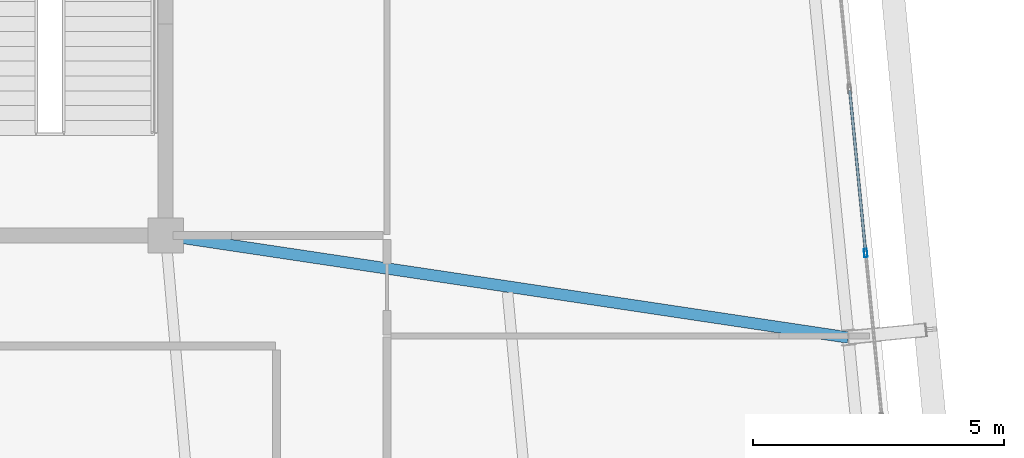
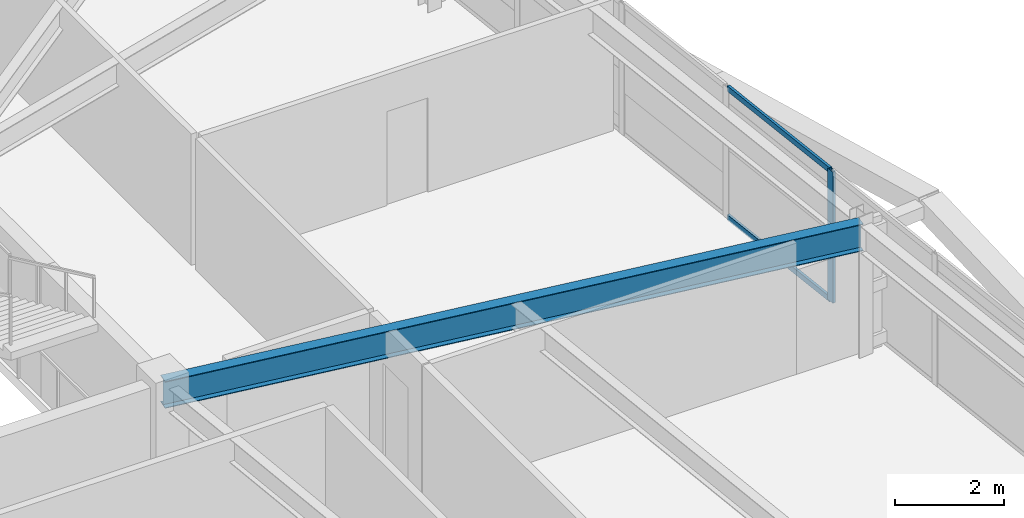
# One storey, part 25 of 53: 3 members, 1 beam, 1 element without a shape of its own.
"""IFC4 building model written with IfcOpenShell, lengths in metres."""

from ifc_helpers import new_model, si_unit, direction, frame, origin, origin_2d, place, context, subcontext, project, spatial, hollow_rectangle, i_section, extrude, source, transform, mapped, material, layer, layer_set, material_profile, profile_set, type_object, element, aggregate, save


model = new_model("IFC4")

# Units and contexts
model_context = context("Model", 3, precision=1e-05, world=origin(), true_north=direction((0.0, 1.0)))
body_context = subcontext(model_context, "Body", "Model", "MODEL_VIEW")
ifc_project = project(units=[si_unit("LENGTHUNIT", "METRE"), si_unit("AREAUNIT", "SQUARE_METRE"), si_unit("VOLUMEUNIT", "CUBIC_METRE"), si_unit("PLANEANGLEUNIT", "RADIAN"), si_unit("MASSUNIT", "GRAM", prefix="KILO")], contexts=[model_context])

# Site, building, storey
site_placement = place(None, origin())
site = spatial("IfcSite", under=ifc_project, at=site_placement, CompositionType="ELEMENT")
building_placement = place(site_placement, origin())
building = spatial("IfcBuilding", under=site, at=building_placement, Name="Taldren Reach Tower", CompositionType="ELEMENT")
storey_placement = place(building_placement, frame((0.0, 0.0, 80.85009765625)))
storey = spatial("IfcBuildingStorey", under=building, at=storey_placement, Name="L24", CompositionType="ELEMENT", Elevation=80.85009765625)

# Beam
ifc_material_1 = material(Name="Steel Gr 350 (350PLUS)", Category="steel")
ifc_material_profile_1 = material_profile(ifc_material_1, i_section(OverallWidth=0.22802734375, OverallDepth=0.60205078125, WebThickness=0.010498046875, FlangeThickness=0.014892578125, at=origin_2d()), Name="610UB101")
ifc_profile_set_1 = profile_set([ifc_material_profile_1], Name="Steel Gr 350 (350PLUS)")
beam_type = type_object("IfcBeamType", Name="BM-UB610B", PredefinedType="BEAM", material=ifc_profile_set_1)
shared_shape_1 = source(origin(), body_context, "Body", "SweptSolid", [
    extrude(i_section(OverallWidth=0.22802734375, OverallDepth=0.60205078125, WebThickness=0.010498046875, FlangeThickness=0.014892578125, at=origin_2d()), origin(), (0.0, 0.0, 1.0), 13.720703125),
])
beam_placement = place(storey_placement, frame((51.0, 24.0, 2.62890625), z_axis=(0.988983679407, -0.148024598856, 0.0), x_axis=(0.148024598856, 0.988983679407, 0.0)))
element("IfcBeam", 1, at=beam_placement, inside=storey, type_object=beam_type, Name="Primary floor girder B2-E2 L24", PredefinedType="BEAM", context=body_context, shape_type="MappedRepresentation", body=[
    mapped(shared_shape_1, transform((0.0, 0.0, 0.0), scale=1.0)),
])

# Curtain wall, members
ifc_material_2 = material(Name="Aluminium and Low-E Glass Unitised System", Category="aluminium")
ifc_layer = layer(ifc_material_2, 0.159912109375)
ifc_layer_set = layer_set([ifc_layer], Name="Aluminium and Low-E Glass Unitised System")
curtain_wall_type = type_object("IfcCurtainWallType", Name="CW-SYS-3", PredefinedType="NOTDEFINED", material=ifc_layer_set)
curtain_wall_placement = place(storey_placement, origin())
curtain_wall = element("IfcCurtainWall", 2, at=curtain_wall_placement, inside=storey, type_object=curtain_wall_type, Name="Unitised curtain wall CW-L24-E", PredefinedType="NOTDEFINED")
ifc_material_3 = material(Name="Anodised Aluminium 6063-T6", Category="aluminium")
ifc_material_profile_2 = material_profile(ifc_material_3, hollow_rectangle(XDim=0.06494140625, YDim=0.1650390625, WallThickness=0.00390625, at=origin_2d()), Name="ALU-165x65x4RHS")
ifc_profile_set_2 = profile_set([ifc_material_profile_2], Name="Anodised Aluminium 6063-T6")
member_type_1 = type_object("IfcMemberType", Name="CW-MUL-165", PredefinedType="MULLION", material=ifc_profile_set_2)
shared_shape_2 = source(origin(), body_context, "Body", "SweptSolid", [
    extrude(hollow_rectangle(XDim=0.06494140625, YDim=0.1650390625, WallThickness=0.00390625, at=origin_2d()), origin(), (0.0, 0.0, 1.0), 2.929931640625),
])
member_1_placement = place(storey_placement, frame((64.9169921875, 23.649658203125, 0.0), z_axis=(0.0, 0.0, 1.0), x_axis=(-0.99522741555, -0.09758274098, 0.0)))
member_1 = element("IfcMember", 3, at=member_1_placement, type_object=member_type_1, Name="CW-3 mullion 6", PredefinedType="MULLION", context=body_context, shape_type="MappedRepresentation", body=[
    mapped(shared_shape_2, transform((0.0, 0.0, 0.0), scale=1.0)),
])
ifc_material_profile_3 = material_profile(ifc_material_3, hollow_rectangle(XDim=0.054931640625, YDim=0.1201171875, WallThickness=0.0029296875, at=origin_2d()), Name="ALU-120x55x3RHS")
ifc_profile_set_3 = profile_set([ifc_material_profile_3], Name="Anodised Aluminium 6063-T6")
member_type_2 = type_object("IfcMemberType", Name="CW-TRN-135", PredefinedType="USERDEFINED", material=ifc_profile_set_3)
shared_shape_3 = source(origin(), body_context, "Body", "SweptSolid", [
    extrude(hollow_rectangle(XDim=0.054931640625, YDim=0.1201171875, WallThickness=0.0029296875, at=origin_2d()), origin(), (0.0, 0.0, 1.0), 3.212646484375),
])
member_2_placement = place(storey_placement, frame((64.913818359375, 23.68212890625, 0.02734375), z_axis=(-0.097577327663, 0.995227946315, 0.0), x_axis=(-0.995227946315, -0.097577327663, 0.0)))
member_2 = element("IfcMember", 4, at=member_2_placement, type_object=member_type_2, Name="CW-3 transom 6.1", ObjectType="TRANSOM", PredefinedType="USERDEFINED", context=body_context, shape_type="MappedRepresentation", body=[
    mapped(shared_shape_3, transform((0.0, 0.0, 0.0), scale=1.0)),
])
member_3_placement = place(storey_placement, frame((64.913818359375, 23.68212890625, 2.90234375), z_axis=(-0.097577327663, 0.995227946315, 0.0), x_axis=(-0.995227946315, -0.097577327663, 0.0)))
member_3 = element("IfcMember", 5, at=member_3_placement, type_object=member_type_2, Name="CW-3 transom 6.2", ObjectType="TRANSOM", PredefinedType="USERDEFINED", context=body_context, shape_type="MappedRepresentation", body=[
    mapped(shared_shape_3, transform((0.0, 0.0, 0.0), scale=1.0)),
])
aggregate(curtain_wall, [member_1, member_2, member_3])

save(model, "model.ifc")
